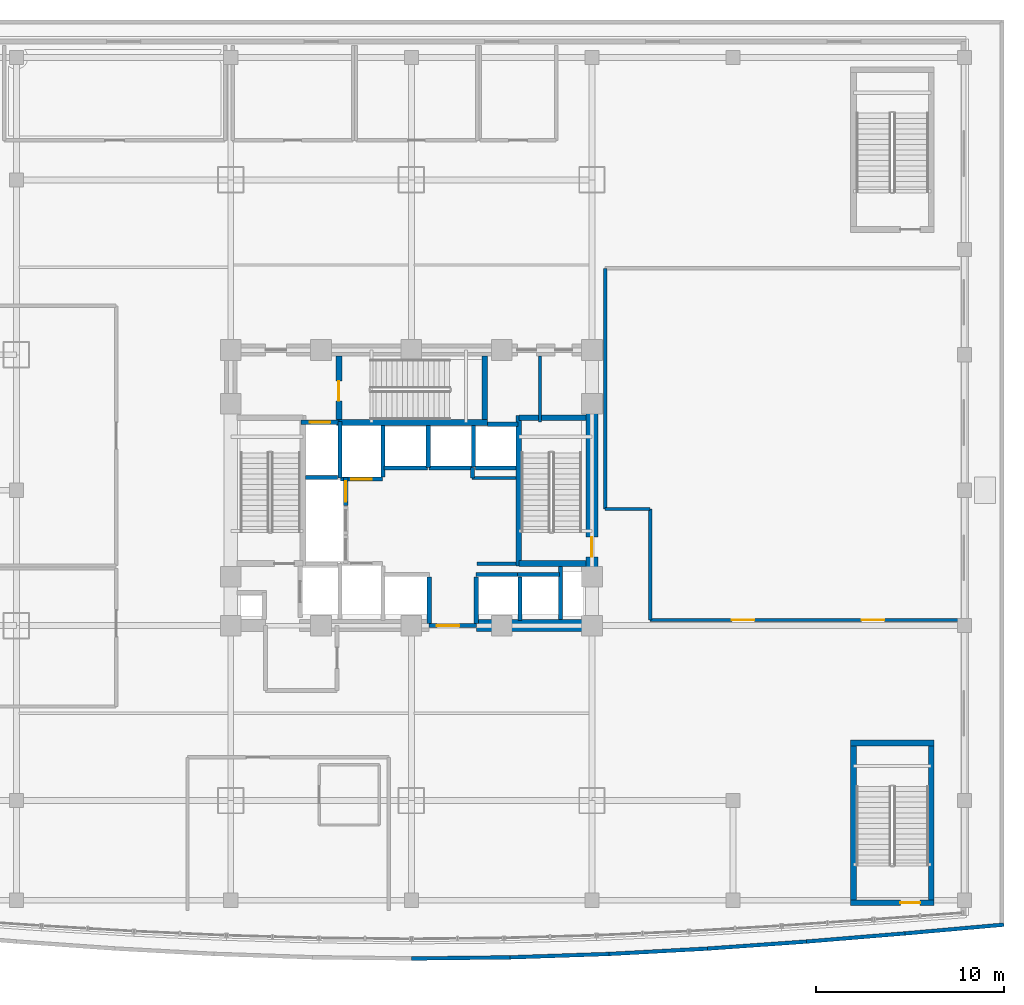
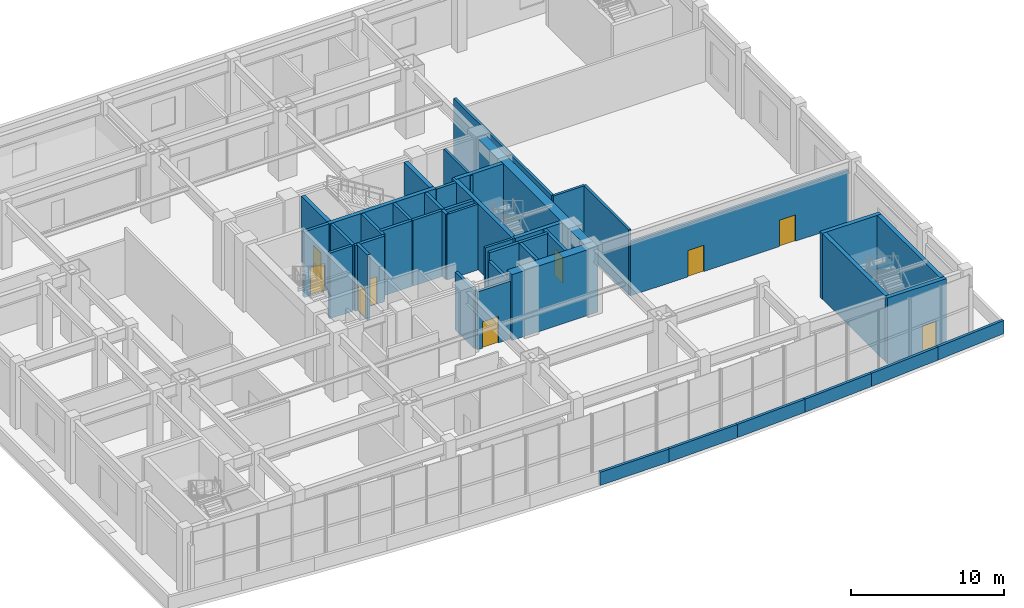
# One storey, part 13 of 24: 45 walls, 9 doors, 9 openings.
"""IFC4 building model written with IfcOpenShell, lengths in metres."""

from ifc_helpers import new_model, si_unit, direction, frame, frame_2d, origin, place, context, subcontext, project, spatial, rectangle, extrude, material, layer, layer_set, type_object, element, fill, save


model = new_model("IFC4")

# Units and contexts
model_context = context("Model", 3, precision=1e-05, world=origin(), true_north=direction((0.0, 1.0)))
body_context = subcontext(model_context, "Body", "Model", "MODEL_VIEW")
ifc_project = project(units=[si_unit("LENGTHUNIT", "METRE"), si_unit("AREAUNIT", "SQUARE_METRE"), si_unit("VOLUMEUNIT", "CUBIC_METRE"), si_unit("PLANEANGLEUNIT", "RADIAN"), si_unit("MASSUNIT", "GRAM", prefix="KILO")], contexts=[model_context])

# Site, building, storey
site_placement = place(None, origin())
site = spatial("IfcSite", under=ifc_project, at=site_placement, CompositionType="ELEMENT")
building_placement = place(site_placement, origin())
building = spatial("IfcBuilding", under=site, at=building_placement, Name="Vantalir Tower", CompositionType="ELEMENT")
storey_placement = place(building_placement, frame((0.0, 0.0, 16.0)))
storey = spatial("IfcBuildingStorey", under=building, at=storey_placement, Name="L03", CompositionType="ELEMENT", Elevation=16.0)

# Wall
ifc_material_1 = material(Name="Concrete C60/75", Category="concrete")
ifc_layer_1 = layer(ifc_material_1, 0.64990234375)
ifc_layer_set_1 = layer_set([ifc_layer_1], Name="Concrete C60/75")
wall_type_1 = type_object("IfcWallType", Name="WL-CORE-650", PredefinedType="SHEAR", material=ifc_layer_set_1)
wall_1_placement = place(storey_placement, frame((34.949951171875, 17.800048828125, 0.0), z_axis=(0.0, 0.0, 1.0), x_axis=(1.0, 0.0, 0.0)))
element("IfcWall", 1, at=wall_1_placement, inside=storey, type_object=wall_type_1, Name="L03 Core Shear Wall South-East", PredefinedType="SHEAR", context=body_context, shape_type="SweptSolid", body=[
    extrude(rectangle(XDim=6.47509765625, YDim=0.64990234375, at=frame_2d((3.237548828125, 0.0))), origin(), (0.0, 0.0, 1.0), 5.25),
])

# Wall, opening, door
wall_2_placement = place(storey_placement, frame((41.10009765625, 18.125, 0.0), z_axis=(0.0, 0.0, 1.0), x_axis=(0.0, 1.0, 0.0)))
wall_2 = element("IfcWall", 2, at=wall_2_placement, inside=storey, type_object=wall_type_1, Name="L03 Core Shear Wall East", PredefinedType="SHEAR", context=body_context, shape_type="SweptSolid", body=[
    extrude(rectangle(XDim=14.0, YDim=0.64990234375, at=frame_2d((7.0, 0.0))), origin(), (0.0, 0.0, 1.0), 5.25),
])
opening_1_placement = place(wall_2_placement, frame((3.3349609375, 0.0, 0.0)))
opening_1 = element("IfcOpeningElement", 3, at=opening_1_placement, cuts=wall_2, Name="Opening D-ST", PredefinedType="OPENING", context=body_context, shape_type="SweptSolid", body=[
    extrude(rectangle(XDim=1.050048828125, YDim=2.10009765625, at=frame_2d((0.52490234375, 1.050048828125))), frame((0.0, 0.3349609375, 0.0), z_axis=(0.0, -1.0, 0.0), x_axis=(1.0, 0.0, 0.0)), (0.0, 0.0, 1.0), 0.669921875),
])
ifc_material_2 = material(Name="Fire-rated steel door leaf", Category="steel")
door_type_1 = type_object("IfcDoorType", Name="DR-FIRE-STAIR-1050", OperationType="NOTDEFINED", PredefinedType="DOOR", material=ifc_material_2)
door_1_placement = place(opening_1_placement, origin())
door_1 = element("IfcDoor", 4, at=door_1_placement, inside=storey, type_object=door_type_1, Name="L03 Exit Stair ST2 Fire Door", OperationType="SINGLE_SWING_LEFT", OverallHeight=2.10009765625, OverallWidth=1.050048828125, PredefinedType="DOOR", context=body_context, shape_type="SweptSolid", body=[
    extrude(rectangle(XDim=1.050048828125, YDim=2.10009765625, at=frame_2d((0.52490234375, 1.050048828125))), frame((0.0, 0.02490234375, 0.0), z_axis=(0.0, -1.0, 0.0), x_axis=(1.0, 0.0, 0.0)), (0.0, 0.0, 1.0), 0.050048828125),
])
fill(opening_1, door_1)

# Walls
ifc_material_3 = material(Name="Concrete blockwork with fireboard lining", Category="masonry")
ifc_layer_2 = layer(ifc_material_3, 0.219970703125)
ifc_layer_set_2 = layer_set([ifc_layer_2], Name="Concrete blockwork with fireboard lining")
wall_type_2 = type_object("IfcWallType", Name="WL-FFL-220", PredefinedType="PARTITIONING", material=ifc_layer_set_2)
for number, where, z_axis, x_axis, name in (
    (5, (32.449951171875, 17.919921875, 0.0), (0.0, 0.0, 1.0), (0.0, 1.0, 0.0), "L03 Shuttle Lift PL-X1 East Shaft Cheek"),
    (6, (34.949951171875, 17.919921875, 0.0), (0.0, 0.0, 1.0), (0.0, 1.0, 0.0), "L03 Shuttle Lift PL-X3 West Shaft Cheek"),
):
    element("IfcWall", number, at=place(storey_placement, frame(where, z_axis=z_axis, x_axis=x_axis)), inside=storey, type_object=wall_type_2, Name=name, PredefinedType="PARTITIONING", context=body_context, shape_type="SweptSolid", body=[
        extrude(rectangle(XDim=2.469970703125, YDim=0.219970703125, at=frame_2d((1.23486328125, 0.0))), origin(), (0.0, 0.0, 1.0), 4.60888671875),
    ])
wall_3_placement = place(storey_placement, frame((37.27490234375, 18.080078125, 0.0), z_axis=(0.0, 0.0, 1.0), x_axis=(0.0, 1.0, 0.0)))
element("IfcWall", 7, at=wall_3_placement, inside=storey, type_object=wall_type_2, Name="L03 Shuttle Lift PL-X2/X3 Shaft Divider", PredefinedType="PARTITIONING", context=body_context, shape_type="SweptSolid", body=[
    extrude(rectangle(XDim=2.309814453125, YDim=0.219970703125, at=frame_2d((1.15478515625, 0.0))), origin(), (0.0, 0.0, 1.0), 5.22509765625),
])
wall_4_placement = place(storey_placement, frame((30.0, 25.7099609375, 0.0), z_axis=(0.0, 0.0, 1.0), x_axis=(0.0, 1.0, 0.0)))
element("IfcWall", 8, at=wall_4_placement, inside=storey, type_object=wall_type_2, Name="L03 Service Lift SV2 East Shaft Wall", PredefinedType="PARTITIONING", context=body_context, shape_type="SweptSolid", body=[
    extrude(rectangle(XDim=2.72998046875, YDim=0.219970703125, at=frame_2d((1.364990234375, 0.0))), origin(), (0.0, 0.0, 1.0), 5.22509765625),
])
wall_5_placement = place(storey_placement, frame((32.39990234375, 26.199951171875, 0.0), z_axis=(0.0, 0.0, 1.0), x_axis=(0.0, 1.0, 0.0)))
element("IfcWall", 9, at=wall_5_placement, inside=storey, type_object=wall_type_2, Name="L03 High-Rise Lift PL-H1/H2 Shaft Divider", PredefinedType="PARTITIONING", context=body_context, shape_type="SweptSolid", body=[
    extrude(rectangle(XDim=2.239990234375, YDim=0.219970703125, at=frame_2d((1.1201171875, 0.0))), origin(), (0.0, 0.0, 1.0), 5.22509765625),
])
wall_6_placement = place(storey_placement, frame((34.800048828125, 26.22998046875, 0.0), z_axis=(0.0, 0.0, 1.0), x_axis=(0.0, 1.0, 0.0)))
element("IfcWall", 10, at=wall_6_placement, inside=storey, type_object=wall_type_2, Name="L03 High-Rise Lift PL-H2/H3 Shaft Divider", PredefinedType="PARTITIONING", context=body_context, shape_type="SweptSolid", body=[
    extrude(rectangle(XDim=2.2099609375, YDim=0.219970703125, at=frame_2d((1.10498046875, 0.0))), origin(), (0.0, 0.0, 1.0), 5.22509765625),
])
wall_7_placement = place(storey_placement, frame((34.909912109375, 26.18994140625, 0.0), z_axis=(0.0, 0.0, 1.0), x_axis=(1.0, 0.0, 0.0)))
element("IfcWall", 11, at=wall_7_placement, inside=storey, type_object=wall_type_2, Name="L03 High-Rise Lift PL-H3 Rear Shaft Wall", PredefinedType="PARTITIONING", context=body_context, shape_type="SweptSolid", body=[
    extrude(rectangle(XDim=2.14013671875, YDim=0.219970703125, at=frame_2d((1.070068359375, 0.0))), origin(), (0.0, 0.0, 1.0), 5.22509765625),
])

# Wall, opening, door
wall_8_placement = place(storey_placement, frame((32.449951171875, 17.800048828125, 0.0), z_axis=(0.0, 0.0, 1.0), x_axis=(1.0, 0.0, 0.0)))
wall_8 = element("IfcWall", 12, at=wall_8_placement, inside=storey, type_object=wall_type_2, Name="L03 Passenger Lift Lobby South Wall", PredefinedType="PARTITIONING", context=body_context, shape_type="SweptSolid", body=[
    extrude(rectangle(XDim=2.5, YDim=0.219970703125, at=frame_2d((1.25, 0.0))), origin(), (0.0, 0.0, 1.0), 4.60888671875),
])
opening_2_placement = place(wall_8_placement, frame((0.39990234375, 0.0, 0.0)))
opening_2 = element("IfcOpeningElement", 13, at=opening_2_placement, cuts=wall_8, Name="Opening D-STE", PredefinedType="OPENING", context=body_context, shape_type="SweptSolid", body=[
    extrude(rectangle(XDim=1.199951171875, YDim=2.10009765625, at=frame_2d((0.60009765625, 1.050048828125))), frame((0.0, 0.119873046875, 0.0), z_axis=(0.0, -1.0, 0.0), x_axis=(1.0, 0.0, 0.0)), (0.0, 0.0, 1.0), 0.239990234375),
])
ifc_material_4 = material(Name="Solid-core teak veneer suite entrance door", Category="wood")
door_type_2 = type_object("IfcDoorType", Name="DR-SUITE-ENTRY-1200", OperationType="NOTDEFINED", PredefinedType="DOOR", material=ifc_material_4)
door_2_placement = place(opening_2_placement, origin())
door_2 = element("IfcDoor", 14, at=door_2_placement, inside=storey, type_object=door_type_2, Name="L03 Passenger Lift Lobby Concourse Door", OperationType="SINGLE_SWING_RIGHT", OverallHeight=2.10009765625, OverallWidth=1.199951171875, PredefinedType="DOOR", context=body_context, shape_type="SweptSolid", body=[
    extrude(rectangle(XDim=1.199951171875, YDim=2.10009765625, at=frame_2d((0.60009765625, 1.050048828125))), frame((0.0, 0.02490234375, 0.0), z_axis=(0.0, -1.0, 0.0), x_axis=(1.0, 0.0, 0.0)), (0.0, 0.0, 1.0), 0.050048828125),
])
fill(opening_2, door_2)

# Wall
wall_9_placement = place(storey_placement, frame((39.419921875, 18.125, 0.0), z_axis=(0.0, 0.0, 1.0), x_axis=(0.0, 1.0, 0.0)))
element("IfcWall", 15, at=wall_9_placement, inside=storey, type_object=wall_type_2, Name="L03 East MEP Riser Wall W", PredefinedType="PARTITIONING", context=body_context, shape_type="SweptSolid", body=[
    extrude(rectangle(XDim=2.824951171875, YDim=0.219970703125, at=frame_2d((1.41259765625, 0.0))), origin(), (0.0, 0.0, 1.0), 5.22998046875),
])

# Wall, opening, door
wall_10_placement = place(storey_placement, frame((25.639892578125, 28.610107421875, 0.0), z_axis=(0.0, 0.0, 1.0), x_axis=(1.0, 0.0, 0.0)))
wall_10 = element("IfcWall", 16, at=wall_10_placement, inside=storey, type_object=wall_type_2, Name="L03 Lift FL2 Shaft Front Wall", PredefinedType="PARTITIONING", context=body_context, shape_type="SweptSolid", body=[
    extrude(rectangle(XDim=2.02001953125, YDim=0.219970703125, at=frame_2d((1.010009765625, 0.0))), origin(), (0.0, 0.0, 1.0), 5.22998046875),
])
opening_3_placement = place(wall_10_placement, frame((0.4599609375, 0.0, 0.0)))
opening_3 = element("IfcOpeningElement", 17, at=opening_3_placement, cuts=wall_10, Name="Opening LD-FL2", PredefinedType="OPENING", context=body_context, shape_type="SweptSolid", body=[
    extrude(rectangle(XDim=1.10009765625, YDim=2.199951171875, at=frame_2d((0.550048828125, 1.10009765625))), frame((0.0, 0.119873046875, 0.0), z_axis=(0.0, -1.0, 0.0), x_axis=(1.0, 0.0, 0.0)), (0.0, 0.0, 1.0), 0.239990234375),
])
ifc_material_5 = material(Name="Brushed stainless-steel sliding lift landing door", Category="steel")
door_type_3 = type_object("IfcDoorType", Name="DR-LIFT-LANDING-1100", OperationType="DOUBLE_DOOR_SLIDING", PredefinedType="DOOR", material=ifc_material_5)
door_3_placement = place(opening_3_placement, origin())
door_3 = element("IfcDoor", 18, at=door_3_placement, inside=storey, type_object=door_type_3, Name="L03 Lift Landing Door FL2", OperationType="DOUBLE_DOOR_SLIDING", OverallHeight=2.199951171875, OverallWidth=1.10009765625, PredefinedType="DOOR", context=body_context, shape_type="SweptSolid", body=[
    extrude(rectangle(XDim=1.10009765625, YDim=2.199951171875, at=frame_2d((0.550048828125, 1.10009765625))), frame((0.0, 0.02490234375, 0.0), z_axis=(0.0, -1.0, 0.0), x_axis=(1.0, 0.0, 0.0)), (0.0, 0.0, 1.0), 0.050048828125),
])
fill(opening_3, door_3)

wall_11_placement = place(storey_placement, frame((27.739990234375, 25.590087890625, 0.0), z_axis=(0.0, 0.0, 1.0), x_axis=(1.0, 0.0, 0.0)))
wall_11 = element("IfcWall", 19, at=wall_11_placement, inside=storey, type_object=wall_type_2, Name="L03 Lift SV2 Shaft Front Wall", PredefinedType="PARTITIONING", context=body_context, shape_type="SweptSolid", body=[
    extrude(rectangle(XDim=2.219970703125, YDim=0.219970703125, at=frame_2d((1.10986328125, 0.0))), origin(), (0.0, 0.0, 1.0), 5.22998046875),
])
opening_4_placement = place(wall_11_placement, frame((0.56005859375, 0.0, 0.0)))
opening_4 = element("IfcOpeningElement", 20, at=opening_4_placement, cuts=wall_11, Name="Opening LD-SV2", PredefinedType="OPENING", context=body_context, shape_type="SweptSolid", body=[
    extrude(rectangle(XDim=1.10009765625, YDim=2.199951171875, at=frame_2d((0.550048828125, 1.10009765625))), frame((0.0, 0.119873046875, 0.0), z_axis=(0.0, -1.0, 0.0), x_axis=(1.0, 0.0, 0.0)), (0.0, 0.0, 1.0), 0.239990234375),
])
door_4_placement = place(opening_4_placement, frame((1.10009765625, 0.0, 0.0), z_axis=(0.0, 0.0, 1.0), x_axis=(-1.0, 0.0, 0.0)))
door_4 = element("IfcDoor", 21, at=door_4_placement, inside=storey, type_object=door_type_3, Name="L03 Lift Landing Door SV2", OperationType="DOUBLE_DOOR_SLIDING", OverallHeight=2.199951171875, OverallWidth=1.10009765625, PredefinedType="DOOR", context=body_context, shape_type="SweptSolid", body=[
    extrude(rectangle(XDim=1.10009765625, YDim=2.199951171875, at=frame_2d((0.550048828125, 1.10009765625))), frame((0.0, 0.02490234375, 0.0), z_axis=(0.0, -1.0, 0.0), x_axis=(1.0, 0.0, 0.0)), (0.0, 0.0, 1.0), 0.050048828125),
])
fill(opening_4, door_4)

# Walls
for number, where, z_axis, x_axis, name in (
    (22, (37.139892578125, 20.510009765625, 0.0), (0.0, 0.0, 1.0), (1.0, 0.0, 0.0), "L03 Lift PL-X2 Shaft Rear Wall"),
    (23, (34.93994140625, 20.510009765625, 0.0), (0.0, 0.0, 1.0), (1.0, 0.0, 0.0), "L03 Lift PL-X3 Shaft Front Wall"),
):
    element("IfcWall", number, at=place(storey_placement, frame(where, z_axis=z_axis, x_axis=x_axis)), inside=storey, type_object=wall_type_2, Name=name, PredefinedType="PARTITIONING", context=body_context, shape_type="SweptSolid", body=[
        extrude(rectangle(XDim=2.239990234375, YDim=0.219970703125, at=frame_2d((1.1201171875, 0.0))), origin(), (0.0, 0.0, 1.0), 5.22998046875),
    ])
for number, where, z_axis, x_axis, name in (
    (24, (30.0400390625, 26.18994140625, 0.0), (0.0, 0.0, 1.0), (1.0, 0.0, 0.0), "L03 Lift PL-H1 Shaft Front Wall"),
    (25, (32.43994140625, 26.18994140625, 0.0), (0.0, 0.0, 1.0), (1.0, 0.0, 0.0), "L03 Lift PL-H2 Shaft Front Wall"),
):
    element("IfcWall", number, at=place(storey_placement, frame(where, z_axis=z_axis, x_axis=x_axis)), inside=storey, type_object=wall_type_2, Name=name, PredefinedType="PARTITIONING", context=body_context, shape_type="SweptSolid", body=[
        extrude(rectangle(XDim=2.320068359375, YDim=0.219970703125, at=frame_2d((1.16015625, 0.0))), origin(), (0.0, 0.0, 1.0), 5.22998046875),
    ])
wall_12_placement = place(storey_placement, frame((35.56005859375, 28.510009765625, 0.0), z_axis=(0.0, 0.0, 1.0), x_axis=(1.0, 0.0, 0.0)))
element("IfcWall", 26, at=wall_12_placement, inside=storey, type_object=wall_type_2, Name="L03 Lift PL-H3 Shaft Front Wall", PredefinedType="PARTITIONING", context=body_context, shape_type="SweptSolid", body=[
    extrude(rectangle(XDim=1.599853515625, YDim=0.219970703125, at=frame_2d((0.7998046875, 0.0))), origin(), (0.0, 0.0, 1.0), 5.22998046875),
])

# Wall, opening, door
wall_13_placement = place(storey_placement, frame((28.010009765625, 24.179931640625, 0.0), z_axis=(0.0, 0.0, 1.0), x_axis=(0.0, 1.0, 0.0)))
wall_13 = element("IfcWall", 27, at=wall_13_placement, inside=storey, type_object=wall_type_2, Name="L03 Lift PL-L3 Shaft Front Wall", PredefinedType="PARTITIONING", context=body_context, shape_type="SweptSolid", body=[
    extrude(rectangle(XDim=1.5, YDim=0.219970703125, at=frame_2d((0.75, 0.0))), origin(), (0.0, 0.0, 1.0), 5.22998046875),
])
opening_5_placement = place(wall_13_placement, frame((0.199951171875, 0.0, 0.0)))
opening_5 = element("IfcOpeningElement", 28, at=opening_5_placement, cuts=wall_13, Name="Opening LD-PL-L3", PredefinedType="OPENING", context=body_context, shape_type="SweptSolid", body=[
    extrude(rectangle(XDim=1.10009765625, YDim=2.199951171875, at=frame_2d((0.550048828125, 1.10009765625))), frame((0.0, 0.119873046875, 0.0), z_axis=(0.0, -1.0, 0.0), x_axis=(1.0, 0.0, 0.0)), (0.0, 0.0, 1.0), 0.239990234375),
])
door_5_placement = place(opening_5_placement, frame((1.10009765625, 0.0, 0.0), z_axis=(0.0, 0.0, 1.0), x_axis=(-1.0, 0.0, 0.0)))
door_5 = element("IfcDoor", 29, at=door_5_placement, inside=storey, type_object=door_type_3, Name="L03 Lift Landing Door PL-L3", OperationType="DOUBLE_DOOR_SLIDING", OverallHeight=2.199951171875, OverallWidth=1.10009765625, PredefinedType="DOOR", context=body_context, shape_type="SweptSolid", body=[
    extrude(rectangle(XDim=1.10009765625, YDim=2.199951171875, at=frame_2d((0.550048828125, 1.10009765625))), frame((0.0, 0.02490234375, 0.0), z_axis=(0.0, -1.0, 0.0), x_axis=(1.0, 0.0, 0.0)), (0.0, 0.0, 1.0), 0.050048828125),
])
fill(opening_5, door_5)

# Walls
wall_14_placement = place(storey_placement, frame((27.699951171875, 25.64990234375, 0.0), z_axis=(0.0, 0.0, 1.0), x_axis=(0.0, 1.0, 0.0)))
element("IfcWall", 30, at=wall_14_placement, inside=storey, type_object=wall_type_2, Name="L03 Fire Lift FL2 Dividing Wall", PredefinedType="PARTITIONING", context=body_context, shape_type="SweptSolid", body=[
    extrude(rectangle(XDim=3.0, YDim=0.219970703125, at=frame_2d((1.5, 0.0))), origin(), (0.0, 0.0, 1.0), 5.22998046875),
])
wall_15_placement = place(storey_placement, frame((25.8798828125, 25.679931640625, 0.0), z_axis=(0.0, 0.0, 1.0), x_axis=(1.0, 0.0, 0.0)))
element("IfcWall", 31, at=wall_15_placement, inside=storey, type_object=wall_type_2, Name="L03 Low-Rise Bank North Wall", PredefinedType="PARTITIONING", context=body_context, shape_type="SweptSolid", body=[
    extrude(rectangle(XDim=1.7001953125, YDim=0.219970703125, at=frame_2d((0.85009765625, 0.0))), origin(), (0.0, 0.0, 1.0), 5.22998046875),
])
wall_16_placement = place(storey_placement, frame((34.760009765625, 25.64990234375, 0.0), z_axis=(0.0, 0.0, 1.0), x_axis=(0.0, 1.0, 0.0)))
element("IfcWall", 32, at=wall_16_placement, inside=storey, type_object=wall_type_2, Name="L03 High-Rise Shaft Shoulder Wall", PredefinedType="PARTITIONING", context=body_context, shape_type="SweptSolid", body=[
    extrude(rectangle(XDim=0.570068359375, YDim=0.219970703125, at=frame_2d((0.28515625, 0.0))), origin(), (0.0, 0.0, 1.0), 5.22998046875),
])
ifc_material_6 = material(Name="Twin-stud acoustic fire-rated gypsum partition", Category="gypsum")
ifc_layer_3 = layer(ifc_material_6, 0.179931640625)
ifc_layer_set_3 = layer_set([ifc_layer_3], Name="Twin-stud acoustic fire-rated gypsum partition")
wall_type_3 = type_object("IfcWallType", Name="WL-GUEST-180", PredefinedType="PARTITIONING", material=ifc_layer_set_3)
wall_17_placement = place(storey_placement, frame((34.97998046875, 21.10009765625, 0.0), z_axis=(0.0, 0.0, 1.0), x_axis=(1.0, 0.0, 0.0)))
element("IfcWall", 33, at=wall_17_placement, inside=storey, type_object=wall_type_3, Name="L03 Freed East Core South Wall", PredefinedType="PARTITIONING", context=body_context, shape_type="SweptSolid", body=[
    extrude(rectangle(XDim=2.080078125, YDim=0.179931640625, at=frame_2d((1.0400390625, 0.0))), origin(), (0.0, 0.0, 1.0), 5.22998046875),
])
wall_18_placement = place(storey_placement, frame((34.719970703125, 25.64990234375, 0.0), z_axis=(0.0, 0.0, 1.0), x_axis=(1.0, 0.0, 0.0)))
element("IfcWall", 34, at=wall_18_placement, inside=storey, type_object=wall_type_3, Name="L03 Freed East Core North Wall", PredefinedType="PARTITIONING", context=body_context, shape_type="SweptSolid", body=[
    extrude(rectangle(XDim=2.340087890625, YDim=0.179931640625, at=frame_2d((1.169921875, 0.0))), origin(), (0.0, 0.0, 1.0), 5.22998046875),
])
wall_19_placement = place(storey_placement, frame((38.340087890625, 28.6201171875, 0.0), z_axis=(0.0, 0.0, 1.0), x_axis=(0.0, 1.0, 0.0)))
element("IfcWall", 35, at=wall_19_placement, inside=storey, type_object=wall_type_3, Name="L03 High-Rise Lift Lobby East Wall", PredefinedType="PARTITIONING", context=body_context, shape_type="SweptSolid", body=[
    extrude(rectangle(XDim=3.5048828125, YDim=0.179931640625, at=frame_2d((1.75244140625, 0.0))), origin(), (0.0, 0.0, 1.0), 5.22998046875),
])

# Wall, openings, doors
wall_20_placement = place(storey_placement, frame((44.199951171875, 18.10009765625, 0.0), z_axis=(0.0, 0.0, 1.0), x_axis=(1.0, 0.0, 0.0)))
wall_20 = element("IfcWall", 36, at=wall_20_placement, inside=storey, type_object=wall_type_3, Name="L03 Grand Ballroom South Wall", PredefinedType="PARTITIONING", context=body_context, shape_type="SweptSolid", body=[
    extrude(rectangle(XDim=16.449951171875, YDim=0.179931640625, at=frame_2d((8.22509765625, 0.0))), origin(), (0.0, 0.0, 1.0), 4.298095703125),
])
opening_6_placement = place(wall_20_placement, frame((4.3349609375, 0.0, 0.0)))
opening_6 = element("IfcOpeningElement", 37, at=opening_6_placement, cuts=wall_20, Name="Opening D-STE", PredefinedType="OPENING", context=body_context, shape_type="SweptSolid", body=[
    extrude(rectangle(XDim=1.199951171875, YDim=2.10009765625, at=frame_2d((0.60009765625, 1.050048828125))), frame((0.0, 0.099853515625, 0.0), z_axis=(0.0, -1.0, 0.0), x_axis=(1.0, 0.0, 0.0)), (0.0, 0.0, 1.0), 0.199951171875),
])
opening_7_placement = place(wall_20_placement, frame((11.243896484375, 0.0, 0.0)))
opening_7 = element("IfcOpeningElement", 38, at=opening_7_placement, cuts=wall_20, Name="Opening D-STE", PredefinedType="OPENING", context=body_context, shape_type="SweptSolid", body=[
    extrude(rectangle(XDim=1.199951171875, YDim=2.10009765625, at=frame_2d((0.60009765625, 1.050048828125))), frame((0.0, 0.099853515625, 0.0), z_axis=(0.0, -1.0, 0.0), x_axis=(1.0, 0.0, 0.0)), (0.0, 0.0, 1.0), 0.199951171875),
])
door_6_placement = place(opening_6_placement, frame((1.199951171875, 0.0, 0.0), z_axis=(0.0, 0.0, 1.0), x_axis=(-1.0, 0.0, 0.0)))
door_6 = element("IfcDoor", 39, at=door_6_placement, inside=storey, type_object=door_type_2, Name="L03 Grand Ballroom Entrance 1", OperationType="SINGLE_SWING_LEFT", OverallHeight=2.10009765625, OverallWidth=1.199951171875, PredefinedType="DOOR", context=body_context, shape_type="SweptSolid", body=[
    extrude(rectangle(XDim=1.199951171875, YDim=2.10009765625, at=frame_2d((0.60009765625, 1.050048828125))), frame((0.0, 0.02490234375, 0.0), z_axis=(0.0, -1.0, 0.0), x_axis=(1.0, 0.0, 0.0)), (0.0, 0.0, 1.0), 0.050048828125),
])
fill(opening_6, door_6)
door_7_placement = place(opening_7_placement, frame((1.199951171875, 0.0, 0.0), z_axis=(0.0, 0.0, 1.0), x_axis=(-1.0, 0.0, 0.0)))
door_7 = element("IfcDoor", 40, at=door_7_placement, inside=storey, type_object=door_type_2, Name="L03 Grand Ballroom Entrance 2", OperationType="SINGLE_SWING_LEFT", OverallHeight=2.10009765625, OverallWidth=1.199951171875, PredefinedType="DOOR", context=body_context, shape_type="SweptSolid", body=[
    extrude(rectangle(XDim=1.199951171875, YDim=2.10009765625, at=frame_2d((0.60009765625, 1.050048828125))), frame((0.0, 0.02490234375, 0.0), z_axis=(0.0, -1.0, 0.0), x_axis=(1.0, 0.0, 0.0)), (0.0, 0.0, 1.0), 0.050048828125),
])
fill(opening_7, door_7)

# Walls
wall_21_placement = place(storey_placement, frame((44.199951171875, 18.10009765625, 0.0), z_axis=(0.0, 0.0, 1.0), x_axis=(0.0, 1.0, 0.0)))
element("IfcWall", 41, at=wall_21_placement, inside=storey, type_object=wall_type_3, Name="L03 Grand Ballroom West Vestibule Wall", PredefinedType="PARTITIONING", context=body_context, shape_type="SweptSolid", body=[
    extrude(rectangle(XDim=5.89990234375, YDim=0.179931640625, at=frame_2d((2.949951171875, 0.0))), origin(), (0.0, 0.0, 1.0), 5.22998046875),
])
wall_22_placement = place(storey_placement, frame((41.800048828125, 24.0, 0.0), z_axis=(0.0, 0.0, 1.0), x_axis=(1.0, 0.0, 0.0)))
element("IfcWall", 42, at=wall_22_placement, inside=storey, type_object=wall_type_3, Name="L03 Grand Ballroom West Step Wall", PredefinedType="PARTITIONING", context=body_context, shape_type="SweptSolid", body=[
    extrude(rectangle(XDim=2.39990234375, YDim=0.179931640625, at=frame_2d((1.199951171875, 0.0))), origin(), (0.0, 0.0, 1.0), 5.22998046875),
])
wall_23_placement = place(storey_placement, frame((41.800048828125, 24.0, 0.0), z_axis=(0.0, 0.0, 1.0), x_axis=(0.0, 1.0, 0.0)))
element("IfcWall", 43, at=wall_23_placement, inside=storey, type_object=wall_type_3, Name="L03 Grand Ballroom Core Liner Wall", PredefinedType="PARTITIONING", context=body_context, shape_type="SweptSolid", body=[
    extrude(rectangle(XDim=12.800048828125, YDim=0.179931640625, at=frame_2d((6.39990234375, 0.0))), origin(), (0.0, 0.0, 1.0), 5.22998046875),
])
ifc_material_7 = material(Name="Concrete C40/50 parapet upstand", Category="concrete")
ifc_layer_4 = layer(ifc_material_7, 0.199951171875)
ifc_layer_set_4 = layer_set([ifc_layer_4], Name="Concrete C40/50 parapet upstand")
wall_type_4 = type_object("IfcWallType", Name="WL-PARA-200", PredefinedType="PARAPET", material=ifc_layer_set_4)
wall_24_placement = place(storey_placement, frame((31.5, 0.10009765625, 0.239990234375), z_axis=(0.0, 0.0, 1.0), x_axis=(0.999932967329, 0.011578464884, 0.0)))
element("IfcWall", 44, at=wall_24_placement, inside=storey, type_object=wall_type_4, Name="L03 Setback Maintenance Parapet South 07", PredefinedType="PARAPET", context=body_context, shape_type="SweptSolid", body=[
    extrude(rectangle(XDim=5.250244140625, YDim=0.199951171875, at=frame_2d((2.625, 0.0))), origin(), (0.0, 0.0, 1.0), 1.050048828125),
])
wall_25_placement = place(storey_placement, frame((36.75, 0.160888671875, 0.239990234375), z_axis=(0.0, 0.0, 1.0), x_axis=(0.999411616079, 0.034299003565, 0.0)))
element("IfcWall", 45, at=wall_25_placement, inside=storey, type_object=wall_type_4, Name="L03 Setback Maintenance Parapet South 08", PredefinedType="PARAPET", context=body_context, shape_type="SweptSolid", body=[
    extrude(rectangle(XDim=5.253173828125, YDim=0.199951171875, at=frame_2d((2.62646484375, 0.0))), origin(), (0.0, 0.0, 1.0), 1.050048828125),
])
wall_26_placement = place(storey_placement, frame((42.0, 0.341064453125, 0.239990234375), z_axis=(0.0, 0.0, 1.0), x_axis=(0.998520616648, 0.054374425321, 0.0)))
element("IfcWall", 46, at=wall_26_placement, inside=storey, type_object=wall_type_4, Name="L03 Setback Maintenance Parapet South 09", PredefinedType="PARAPET", context=body_context, shape_type="SweptSolid", body=[
    extrude(rectangle(XDim=5.2578125, YDim=0.199951171875, at=frame_2d((2.62890625, 0.0))), origin(), (0.0, 0.0, 1.0), 1.050048828125),
])
wall_27_placement = place(storey_placement, frame((47.25, 0.626953125, 0.239990234375), z_axis=(0.0, 0.0, 1.0), x_axis=(0.997485003249, 0.070877840633, 0.0)))
element("IfcWall", 47, at=wall_27_placement, inside=storey, type_object=wall_type_4, Name="L03 Setback Maintenance Parapet South 10", PredefinedType="PARAPET", context=body_context, shape_type="SweptSolid", body=[
    extrude(rectangle(XDim=5.26318359375, YDim=0.199951171875, at=frame_2d((2.631591796875, 0.0))), origin(), (0.0, 0.0, 1.0), 1.050048828125),
])
wall_28_placement = place(storey_placement, frame((52.5, 1.0, 0.239990234375), z_axis=(0.0, 0.0, 1.0), x_axis=(0.99659924601, 0.082401109533, 0.0)))
element("IfcWall", 48, at=wall_28_placement, inside=storey, type_object=wall_type_4, Name="L03 Setback Maintenance Parapet South 11", PredefinedType="PARAPET", context=body_context, shape_type="SweptSolid", body=[
    extrude(rectangle(XDim=5.267822265625, YDim=0.199951171875, at=frame_2d((2.6337890625, 0.0))), origin(), (0.0, 0.0, 1.0), 1.050048828125),
])
wall_29_placement = place(storey_placement, frame((57.75, 1.43408203125, 0.239990234375), z_axis=(0.0, 0.0, 1.0), x_axis=(0.996086789786, 0.088380468513, 0.0)))
element("IfcWall", 49, at=wall_29_placement, inside=storey, type_object=wall_type_4, Name="L03 Setback Maintenance Parapet South 12", PredefinedType="PARAPET", context=body_context, shape_type="SweptSolid", body=[
    extrude(rectangle(XDim=5.2705078125, YDim=0.199951171875, at=frame_2d((2.63525390625, 0.0))), origin(), (0.0, 0.0, 1.0), 1.050048828125),
])
ifc_material_8 = material(Name="Concrete C50/60", Category="concrete")
ifc_layer_5 = layer(ifc_material_8, 0.300048828125)
ifc_layer_set_5 = layer_set([ifc_layer_5], Name="Concrete C50/60")
wall_type_5 = type_object("IfcWallType", Name="WL-STAIR-300", PredefinedType="SHEAR", material=ifc_layer_set_5)
for number, where, z_axis, x_axis, name in (
    (50, (37.2099609375, 21.10009765625, 0.0), (0.0, 0.0, 1.0), (1.0, 0.0, 0.0), "L03 Stair ST2 South Wall"),
    (51, (37.2099609375, 28.85009765625, 0.0), (0.0, 0.0, 1.0), (1.0, 0.0, 0.0), "L03 Stair ST2 North Wall"),
):
    element("IfcWall", number, at=place(storey_placement, frame(where, z_axis=z_axis, x_axis=x_axis)), inside=storey, type_object=wall_type_5, Name=name, PredefinedType="SHEAR", context=body_context, shape_type="SweptSolid", body=[
        extrude(rectangle(XDim=3.56494140625, YDim=0.300048828125, at=frame_2d((1.782470703125, 0.0))), origin(), (0.0, 0.0, 1.0), 5.25),
    ])
wall_30_placement = place(storey_placement, frame((37.2099609375, 20.97998046875, 0.0), z_axis=(0.0, 0.0, 1.0), x_axis=(0.0, 1.0, 0.0)))
element("IfcWall", 52, at=wall_30_placement, inside=storey, type_object=wall_type_5, Name="L03 Stair ST2 West Wall", PredefinedType="SHEAR", context=body_context, shape_type="SweptSolid", body=[
    extrude(rectangle(XDim=7.989990234375, YDim=0.300048828125, at=frame_2d((3.9951171875, 0.0))), origin(), (0.0, 0.0, 1.0), 5.25),
])
wall_31_placement = place(storey_placement, frame((27.510009765625, 28.60009765625, 0.0), z_axis=(0.0, 0.0, 1.0), x_axis=(1.0, 0.0, 0.0)))
element("IfcWall", 53, at=wall_31_placement, inside=storey, type_object=wall_type_5, Name="L03 Stair ST3 South Wall", PredefinedType="SHEAR", context=body_context, shape_type="SweptSolid", body=[
    extrude(rectangle(XDim=8.030029296875, YDim=0.300048828125, at=frame_2d((4.01513671875, 0.0))), origin(), (0.0, 0.0, 1.0), 5.25),
])

# Wall, opening, door
wall_32_placement = place(storey_placement, frame((27.64990234375, 28.75, 0.0), z_axis=(0.0, 0.0, 1.0), x_axis=(0.0, 1.0, 0.0)))
wall_32 = element("IfcWall", 54, at=wall_32_placement, inside=storey, type_object=wall_type_5, Name="L03 Stair ST3 West Wall", PredefinedType="SHEAR", context=body_context, shape_type="SweptSolid", body=[
    extrude(rectangle(XDim=3.375, YDim=0.300048828125, at=frame_2d((1.6875, 0.0))), origin(), (0.0, 0.0, 1.0), 5.25),
])
opening_8_placement = place(wall_32_placement, frame((1.0, 0.0, 0.0)))
opening_8 = element("IfcOpeningElement", 55, at=opening_8_placement, cuts=wall_32, Name="Opening D-ST", PredefinedType="OPENING", context=body_context, shape_type="SweptSolid", body=[
    extrude(rectangle(XDim=1.050048828125, YDim=2.10009765625, at=frame_2d((0.52490234375, 1.050048828125))), frame((0.0, 0.159912109375, 0.0), z_axis=(0.0, -1.0, 0.0), x_axis=(1.0, 0.0, 0.0)), (0.0, 0.0, 1.0), 0.320068359375),
])
door_8_placement = place(opening_8_placement, frame((1.050048828125, 0.0, 0.0), z_axis=(0.0, 0.0, 1.0), x_axis=(-1.0, 0.0, 0.0)))
door_8 = element("IfcDoor", 56, at=door_8_placement, inside=storey, type_object=door_type_1, Name="L03 Exit Stair ST3 Fire Door", OperationType="SINGLE_SWING_RIGHT", OverallHeight=2.10009765625, OverallWidth=1.050048828125, PredefinedType="DOOR", context=body_context, shape_type="SweptSolid", body=[
    extrude(rectangle(XDim=1.050048828125, YDim=2.10009765625, at=frame_2d((0.52490234375, 1.050048828125))), frame((0.0, 0.02490234375, 0.0), z_axis=(0.0, -1.0, 0.0), x_axis=(1.0, 0.0, 0.0)), (0.0, 0.0, 1.0), 0.050048828125),
])
fill(opening_8, door_8)

# Wall
wall_33_placement = place(storey_placement, frame((35.39990234375, 28.75, 0.0), z_axis=(0.0, 0.0, 1.0), x_axis=(0.0, 1.0, 0.0)))
element("IfcWall", 57, at=wall_33_placement, inside=storey, type_object=wall_type_5, Name="L03 Stair ST3 East Wall", PredefinedType="SHEAR", context=body_context, shape_type="SweptSolid", body=[
    extrude(rectangle(XDim=3.375, YDim=0.300048828125, at=frame_2d((1.6875, 0.0))), origin(), (0.0, 0.0, 1.0), 5.25),
])

# Wall, opening, door
wall_34_placement = place(storey_placement, frame((54.85009765625, 3.06005859375, 0.0), z_axis=(0.0, 0.0, 1.0), x_axis=(1.0, 0.0, 0.0)))
wall_34 = element("IfcWall", 58, at=wall_34_placement, inside=storey, type_object=wall_type_5, Name="L03 PST4 South Wall", PredefinedType="SHEAR", context=body_context, shape_type="SweptSolid", body=[
    extrude(rectangle(XDim=4.449951171875, YDim=0.300048828125, at=frame_2d((2.22509765625, 0.0))), origin(), (0.0, 0.0, 1.0), 5.25),
])
opening_9_placement = place(wall_34_placement, frame((2.64990234375, 0.0, 0.0)))
opening_9 = element("IfcOpeningElement", 59, at=opening_9_placement, cuts=wall_34, Name="Opening D-ST", PredefinedType="OPENING", context=body_context, shape_type="SweptSolid", body=[
    extrude(rectangle(XDim=1.050048828125, YDim=2.10009765625, at=frame_2d((0.52490234375, 1.050048828125))), frame((0.0, 0.159912109375, 0.0), z_axis=(0.0, -1.0, 0.0), x_axis=(1.0, 0.0, 0.0)), (0.0, 0.0, 1.0), 0.320068359375),
])
door_9_placement = place(opening_9_placement, origin())
door_9 = element("IfcDoor", 60, at=door_9_placement, inside=storey, type_object=door_type_1, Name="L03 Podium Stair PST4 Fire Door", OperationType="SINGLE_SWING_LEFT", OverallHeight=2.10009765625, OverallWidth=1.050048828125, PredefinedType="DOOR", context=body_context, shape_type="SweptSolid", body=[
    extrude(rectangle(XDim=1.050048828125, YDim=2.10009765625, at=frame_2d((0.52490234375, 1.050048828125))), frame((0.0, 0.02490234375, 0.0), z_axis=(0.0, -1.0, 0.0), x_axis=(1.0, 0.0, 0.0)), (0.0, 0.0, 1.0), 0.050048828125),
])
fill(opening_9, door_9)

# Walls
wall_35_placement = place(storey_placement, frame((54.85009765625, 11.56005859375, 0.0), z_axis=(0.0, 0.0, 1.0), x_axis=(1.0, 0.0, 0.0)))
element("IfcWall", 61, at=wall_35_placement, inside=storey, type_object=wall_type_5, Name="L03 PST4 North Wall", PredefinedType="SHEAR", context=body_context, shape_type="SweptSolid", body=[
    extrude(rectangle(XDim=4.449951171875, YDim=0.300048828125, at=frame_2d((2.22509765625, 0.0))), origin(), (0.0, 0.0, 1.0), 5.25),
])
for number, where, z_axis, x_axis, name in (
    (62, (55.010009765625, 3.06005859375, 0.0), (0.0, 0.0, 1.0), (0.0, 1.0, 0.0), "L03 PST4 West Wall"),
    (63, (59.139892578125, 3.06005859375, 0.0), (0.0, 0.0, 1.0), (0.0, 1.0, 0.0), "L03 PST4 East Wall"),
):
    element("IfcWall", number, at=place(storey_placement, frame(where, z_axis=z_axis, x_axis=x_axis)), inside=storey, type_object=wall_type_5, Name=name, PredefinedType="SHEAR", context=body_context, shape_type="SweptSolid", body=[
        extrude(rectangle(XDim=8.5, YDim=0.300048828125, at=frame_2d((4.25, 0.0))), origin(), (0.0, 0.0, 1.0), 5.25),
    ])

save(model, "model.ifc")
